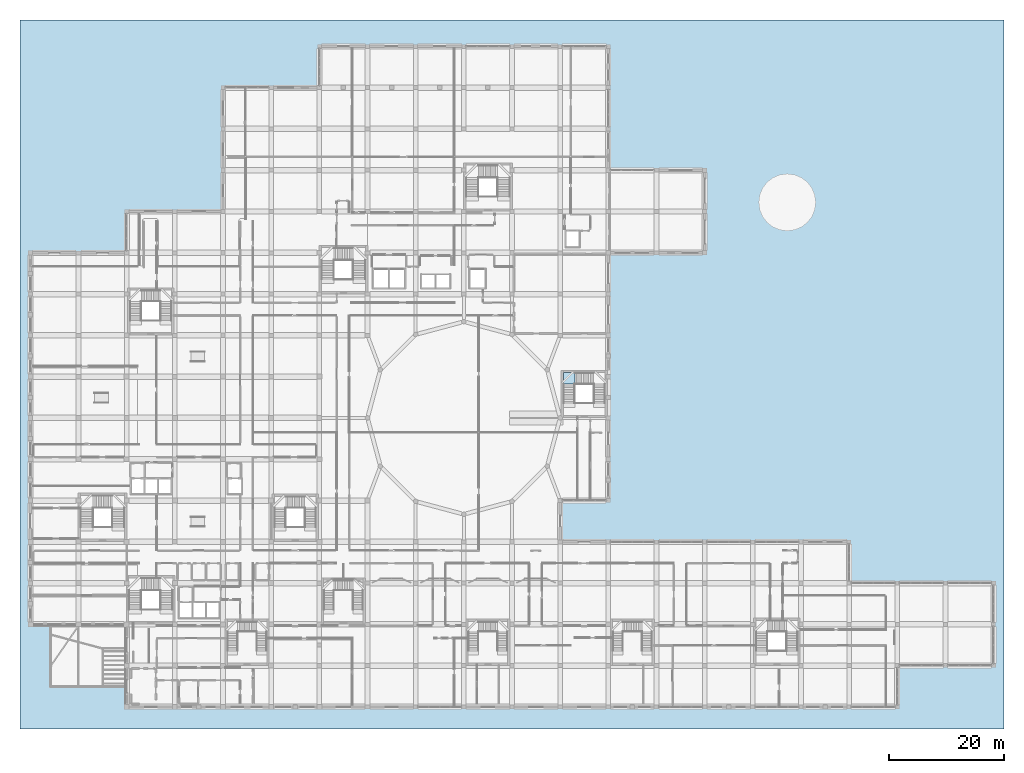
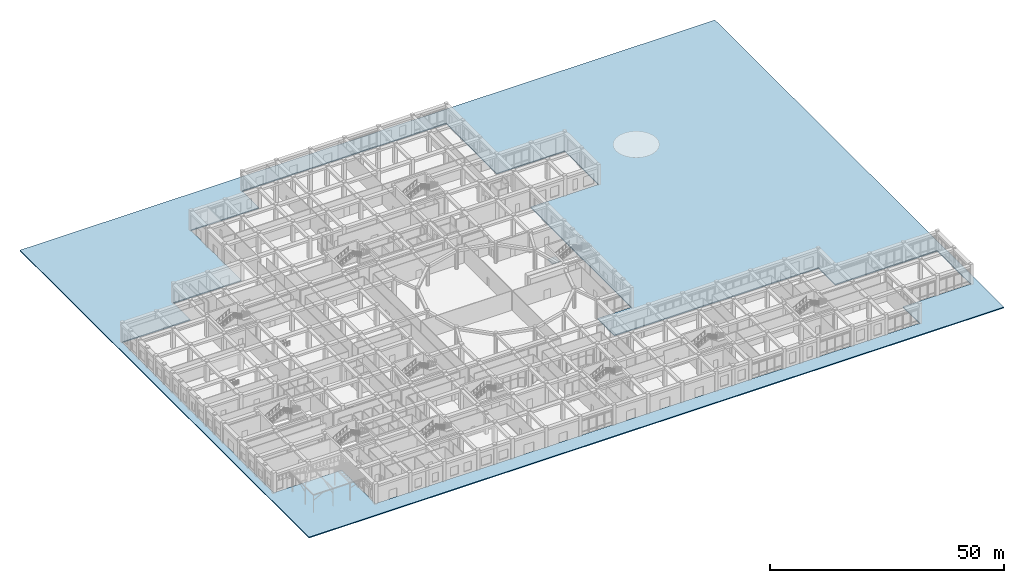
# One storey, part 54 of 84: 2 slabs, 1 element without a shape of its own.
"""IFC4 building model written with IfcOpenShell, lengths in metres."""

from ifc_helpers import new_model, si_unit, derived_unit, direction, frame, origin, place, context, subcontext, project, spatial, polyline, outline, extrude, material, layer, layer_set, type_object, element, aggregate, save


model = new_model("IFC4")

# Units and contexts
model_context = context("Model", 3, precision=1e-05, world=origin(), true_north=direction((0.0, 1.0)))
body_context = subcontext(model_context, "Body", "Model", "MODEL_VIEW")
ifc_project = project(units=[si_unit("LENGTHUNIT", "METRE"), si_unit("AREAUNIT", "SQUARE_METRE"), si_unit("VOLUMEUNIT", "CUBIC_METRE"), si_unit("PLANEANGLEUNIT", "RADIAN"), si_unit("MASSUNIT", "GRAM", prefix="KILO"), derived_unit("THERMALTRANSMITTANCEUNIT", [(si_unit("POWERUNIT", "WATT"), 1), (si_unit("LENGTHUNIT", "METRE"), -2), (si_unit("THERMODYNAMICTEMPERATUREUNIT", "KELVIN"), -1)])], contexts=[model_context])

# Site, building, storey
site_placement = place(None, origin())
site = spatial("IfcSite", under=ifc_project, at=site_placement, CompositionType="ELEMENT")
building_placement = place(site_placement, origin())
building = spatial("IfcBuilding", under=site, at=building_placement, Name="Veybourne Emporium", CompositionType="ELEMENT")
storey_placement = place(building_placement, origin())
storey = spatial("IfcBuildingStorey", under=building, at=storey_placement, Name="L00", CompositionType="ELEMENT", Elevation=0.0)

# Stair, slab
ifc_material_1 = material(Name="Concrete C32/40", Category="concrete")
stair_type = type_object("IfcStairType", Name="Stair_ST-07-R36", PredefinedType="TWO_QUARTER_TURN_STAIR", material=ifc_material_1)
stair_placement = place(storey_placement, origin())
stair = element("IfcStair", 1, at=stair_placement, inside=storey, type_object=stair_type, Name="L00 stair ST-07", PredefinedType="TWO_QUARTER_TURN_STAIR")
ifc_layer_1 = layer(ifc_material_1, 0.199951171875)
ifc_layer_set_1 = layer_set([ifc_layer_1], Name="Concrete C32/40")
slab_type_1 = type_object("IfcSlabType", Name="Landing_LDG-01", PredefinedType="LANDING", material=ifc_layer_set_1)
slab_1_placement = place(storey_placement, frame((0.0, 0.0, 1.60009765625)))
slab_1 = element("IfcSlab", 2, at=slab_1_placement, type_object=slab_type_1, Name="ST-07-R36 landing 1", PredefinedType="LANDING", context=body_context, shape_type="SweptSolid", body=[
    extrude(outline(polyline([(92.949951171875, 56.300048828125), (94.949951171875, 56.300048828125), (94.949951171875, 58.300048828125), (92.949951171875, 58.300048828125), (92.949951171875, 56.300048828125)])), origin(), (0.0, 0.0, 1.0), 0.199951171875),
])
aggregate(stair, [slab_1])

# Slab
ifc_material_2 = material(Name="Concrete C35/45", Category="concrete")
ifc_layer_2 = layer(ifc_material_2, 0.25)
ifc_layer_set_2 = layer_set([ifc_layer_2], Name="Concrete C35/45")
slab_type_2 = type_object("IfcSlabType", Name="Slab_BS-02", PredefinedType="BASESLAB", material=ifc_layer_set_2)
slab_2_placement = place(storey_placement, frame((0.0, 0.0, -0.25)))
element("IfcSlab", 3, at=slab_2_placement, inside=storey, type_object=slab_type_2, Name="Exterior forecourt, sun court and HGV service apron slab 1", PredefinedType="BASESLAB", context=body_context, shape_type="SweptSolid", body=[
    extrude(outline(polyline([(-1.800048828125, -3.800048828125), (-1.800048828125, 119.800048828125), (169.800048828125, 119.800048828125), (169.800048828125, -3.800048828125), (-1.800048828125, -3.800048828125)]), holes=[polyline([(16.800048828125, 14.39990234375), (16.800048828125, 7.199951171875), (16.800048828125, 0.0), (25.199951171875, 0.0), (33.60009765625, 0.0), (42.0, 0.0), (50.39990234375, 0.0), (58.800048828125, 0.0), (67.199951171875, 0.0), (75.60009765625, 0.0), (84.0, 0.0), (92.39990234375, 0.0), (100.800048828125, 0.0), (109.199951171875, 0.0), (117.60009765625, 0.0), (126.0, 0.0), (134.39990234375, 0.0), (142.800048828125, 0.0), (151.199951171875, 0.0), (151.199951171875, 7.199951171875), (159.60009765625, 7.199951171875), (168.0, 7.199951171875), (168.0, 14.39990234375), (168.0, 21.60009765625), (159.60009765625, 21.60009765625), (151.199951171875, 21.60009765625), (142.800048828125, 21.60009765625), (142.800048828125, 28.800048828125), (134.39990234375, 28.800048828125), (126.0, 28.800048828125), (117.60009765625, 28.800048828125), (109.199951171875, 28.800048828125), (100.800048828125, 28.800048828125), (92.39990234375, 28.800048828125), (92.39990234375, 36.0), (100.800048828125, 36.0), (100.800048828125, 43.199951171875), (100.800048828125, 50.39990234375), (100.800048828125, 57.60009765625), (100.800048828125, 64.800048828125), (100.800048828125, 72.0), (100.800048828125, 79.199951171875), (109.199951171875, 79.199951171875), (117.60009765625, 79.199951171875), (117.60009765625, 86.39990234375), (117.60009765625, 93.60009765625), (109.199951171875, 93.60009765625), (100.800048828125, 93.60009765625), (100.800048828125, 100.800048828125), (100.800048828125, 108.0), (100.800048828125, 115.199951171875), (92.39990234375, 115.199951171875), (84.0, 115.199951171875), (75.60009765625, 115.199951171875), (67.199951171875, 115.199951171875), (58.800048828125, 115.199951171875), (50.39990234375, 115.199951171875), (50.39990234375, 108.0), (42.0, 108.0), (33.60009765625, 108.0), (33.60009765625, 100.800048828125), (33.60009765625, 93.60009765625), (33.60009765625, 86.39990234375), (25.199951171875, 86.39990234375), (16.800048828125, 86.39990234375), (16.800048828125, 79.199951171875), (8.39990234375, 79.199951171875), (0.0, 79.199951171875), (0.0, 72.0), (0.0, 64.800048828125), (0.0, 57.60009765625), (0.0, 50.39990234375), (0.0, 43.199951171875), (0.0, 36.0), (0.0, 28.800048828125), (0.0, 21.60009765625), (0.0, 14.39990234375), (8.39990234375, 14.39990234375), (16.800048828125, 14.39990234375)])]), origin(), (0.0, 0.0, 1.0), 0.25),
])

save(model, "model.ifc")
